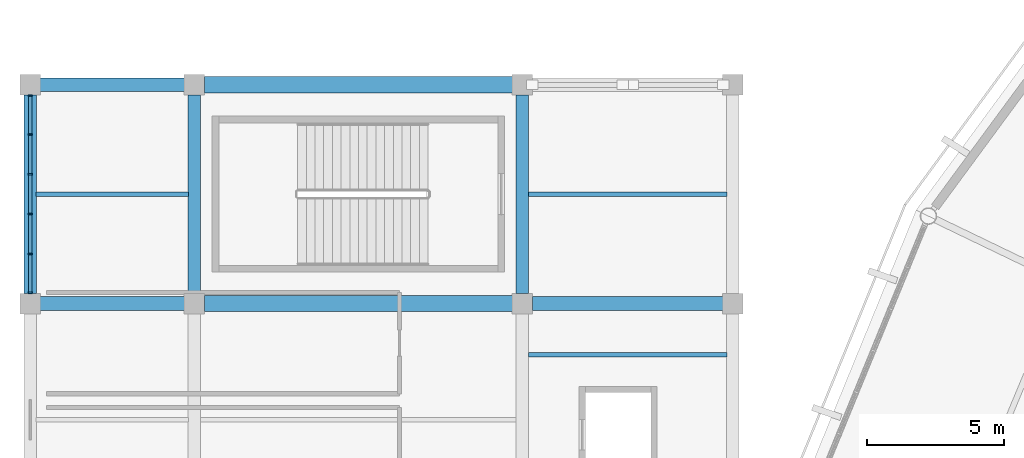
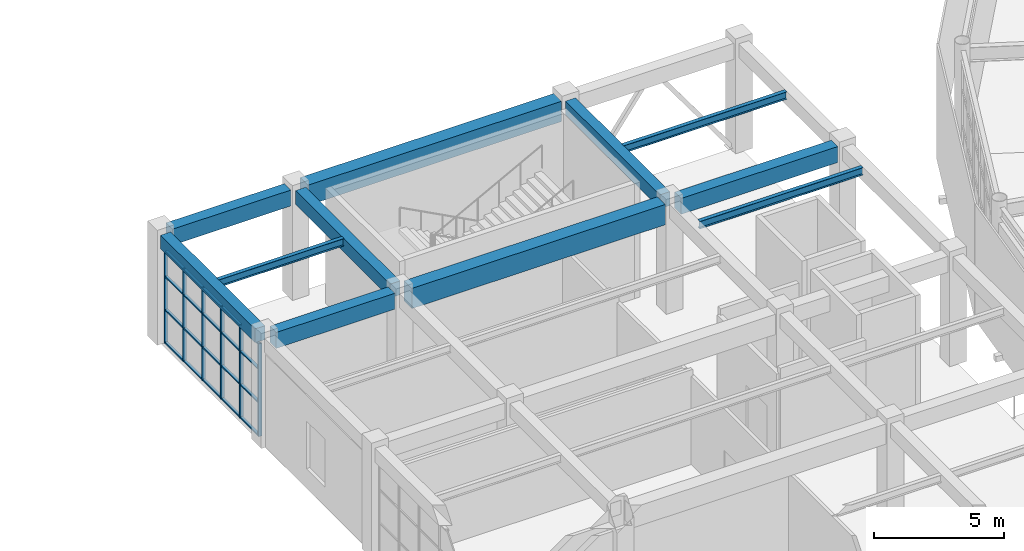
# One storey, part 26 of 70: 26 members, 11 beams, 1 element without a shape of its own.
"""IFC4 building model written with IfcOpenShell, lengths in metres."""

from ifc_helpers import new_model, si_unit, direction, frame, origin, origin_2d, place, context, subcontext, project, spatial, rectangle, i_section, extrude, material, material_profile, profile_set, type_object, element, aggregate, save


model = new_model("IFC4")

# Units and contexts
model_context = context("Model", 3, precision=1e-05, world=origin(), true_north=direction((0.0, 1.0)))
body_context = subcontext(model_context, "Body", "Model", "MODEL_VIEW")
ifc_project = project(units=[si_unit("LENGTHUNIT", "METRE"), si_unit("AREAUNIT", "SQUARE_METRE"), si_unit("VOLUMEUNIT", "CUBIC_METRE"), si_unit("PLANEANGLEUNIT", "RADIAN"), si_unit("MASSUNIT", "GRAM", prefix="KILO")], contexts=[model_context])

# Site, building, storey
site_placement = place(None, origin())
site = spatial("IfcSite", under=ifc_project, at=site_placement, CompositionType="ELEMENT")
building_placement = place(site_placement, origin())
building = spatial("IfcBuilding", under=site, at=building_placement, Name="Cuetzalor Civic Arena", CompositionType="ELEMENT")
storey_placement = place(building_placement, frame((0.0, 0.0, 21.0)))
storey = spatial("IfcBuildingStorey", under=building, at=storey_placement, Name="L04", CompositionType="ELEMENT", Elevation=21.0)

# Beams
ifc_material_1 = material(Name="Concrete C40/50", Category="concrete")
ifc_material_profile_1 = material_profile(ifc_material_1, rectangle(XDim=0.5, YDim=0.75, at=origin_2d()), Name="RC 500x750")
ifc_profile_set_1 = profile_set([ifc_material_profile_1], Name="Concrete C40/50")
beam_type_1 = type_object("IfcBeamType", Name="ConcreteFrameBeam_500x750", PredefinedType="BEAM", material=ifc_profile_set_1)
beam_1_placement = place(storey_placement, frame((-81.635009765625, 17.0, 4.7451171875), z_axis=(1.0, 0.0, 0.0), x_axis=(0.0, 1.0, 0.0)))
element("IfcBeam", 1, at=beam_1_placement, inside=storey, type_object=beam_type_1, Name="Frame Girder V4W-L04-X1110", PredefinedType="BEAM", context=body_context, shape_type="SweptSolid", body=[
    extrude(rectangle(XDim=0.5, YDim=0.75, at=origin_2d()), origin(), (0.0, 0.0, 1.0), 5.27001953125),
])
beam_2_placement = place(storey_placement, frame((-63.635009765625, 17.0, 4.7451171875), z_axis=(1.0, 0.0, 0.0), x_axis=(0.0, 1.0, 0.0)))
element("IfcBeam", 2, at=beam_2_placement, inside=storey, type_object=beam_type_1, Name="Frame Girder V4W-L04-X1112", PredefinedType="BEAM", context=body_context, shape_type="SweptSolid", body=[
    extrude(rectangle(XDim=0.5, YDim=0.75, at=origin_2d()), origin(), (0.0, 0.0, 1.0), 6.969970703125),
])
beam_3_placement = place(storey_placement, frame((-81.635009765625, 25.0, 4.7451171875), z_axis=(1.0, 0.0, 0.0), x_axis=(0.0, 1.0, 0.0)))
element("IfcBeam", 3, at=beam_3_placement, inside=storey, type_object=beam_type_1, Name="Frame Girder V4W-L04-X1113", PredefinedType="BEAM", context=body_context, shape_type="SweptSolid", body=[
    extrude(rectangle(XDim=0.5, YDim=0.75, at=origin_2d()), origin(), (0.0, 0.0, 1.0), 5.27001953125),
])
ifc_material_2 = material(Name="Concrete C40/50", Category="concrete")
ifc_material_profile_2 = material_profile(ifc_material_2, rectangle(XDim=0.60009765625, YDim=0.949951171875, at=origin_2d()), Name="RC 600x950")
ifc_profile_set_2 = profile_set([ifc_material_profile_2], Name="Concrete C40/50")
beam_type_2 = type_object("IfcBeamType", Name="ConcreteFrameBeam_600x950", PredefinedType="BEAM", material=ifc_profile_set_2)
for number, where, z_axis, x_axis, name in (
    (4, (-75.635009765625, 17.0, 4.64501953125), (1.0, 0.0, 0.0), (0.0, 1.0, 0.0), "Frame Girder V4W-L04-X1111"),
    (5, (-75.635009765625, 25.0, 4.64501953125), (1.0, 0.0, 0.0), (0.0, 1.0, 0.0), "Frame Girder V4W-L04-X1114"),
):
    element("IfcBeam", number, at=place(storey_placement, frame(where, z_axis=z_axis, x_axis=x_axis)), inside=storey, type_object=beam_type_2, Name=name, PredefinedType="BEAM", context=body_context, shape_type="SweptSolid", body=[
        extrude(rectangle(XDim=0.60009765625, YDim=0.949951171875, at=origin_2d()), origin(), (0.0, 0.0, 1.0), 11.27001953125),
    ])
ifc_material_3 = material(Name="Concrete C40/50", Category="concrete")
ifc_material_profile_3 = material_profile(ifc_material_3, rectangle(XDim=0.449951171875, YDim=0.64990234375, at=origin_2d()), Name="RC 450x650")
ifc_profile_set_3 = profile_set([ifc_material_profile_3], Name="Concrete C40/50")
beam_type_3 = type_object("IfcBeamType", Name="ConcreteTieBeam_450x650", PredefinedType="BEAM", material=ifc_profile_set_3)
for number, where, z_axis, x_axis, name in (
    (6, (-82.0, 17.364990234375, 4.794921875), (0.0, 1.0, 0.0), (-1.0, 0.0, 0.0), "Frame Girder V4W-L04-Y1123"),
    (7, (-76.0, 17.364990234375, 4.794921875), (0.0, 1.0, 0.0), (-1.0, 0.0, 0.0), "Frame Girder V4W-L04-Y1131"),
    (8, (-64.0, 17.364990234375, 4.794921875), (0.0, 1.0, 0.0), (-1.0, 0.0, 0.0), "Frame Girder V4W-L04-Y1139"),
):
    element("IfcBeam", number, at=place(storey_placement, frame(where, z_axis=z_axis, x_axis=x_axis)), inside=storey, type_object=beam_type_3, Name=name, PredefinedType="BEAM", context=body_context, shape_type="SweptSolid", body=[
        extrude(rectangle(XDim=0.449951171875, YDim=0.64990234375, at=origin_2d()), origin(), (0.0, 0.0, 1.0), 7.27001953125),
    ])

# Curtain wall, members
ifc_material_4 = material(Name="Anodised dark bronze aluminium and low-E solar glass", Category="aluminium")
curtain_wall_type = type_object("IfcCurtainWallType", Name="UnitisedCW_7300x4350", PredefinedType="USERDEFINED", material=ifc_material_4)
curtain_wall_placement = place(storey_placement, origin())
curtain_wall = element("IfcCurtainWall", 9, at=curtain_wall_placement, inside=storey, type_object=curtain_wall_type, Name="V4W Suite Viewing Curtain Wall L04-126", ObjectType="UNITISED CURTAIN WALL", PredefinedType="USERDEFINED")
ifc_material_5 = material(Name="Anodised dark bronze aluminium", Category="aluminium")
ifc_material_profile_4 = material_profile(ifc_material_5, rectangle(XDim=0.06494140625, YDim=0.14990234375, at=origin_2d()), Name="ALU MULLION 65x150")
ifc_profile_set_4 = profile_set([ifc_material_profile_4], Name="Anodised dark bronze aluminium")
member_type_1 = type_object("IfcMemberType", Name="CurtainWallMullion_60x150", PredefinedType="MULLION", material=ifc_profile_set_4)
member_1_placement = place(storey_placement, frame((-82.0, 17.389404296875, 0.0), z_axis=(0.0, 0.0, 1.0), x_axis=(0.0, 1.0, 0.0)))
member_1 = element("IfcMember", 10, at=member_1_placement, type_object=member_type_1, Name="CW-48 mullion 1", PredefinedType="MULLION", context=body_context, shape_type="SweptSolid", body=[
    extrude(rectangle(XDim=0.06494140625, YDim=0.14990234375, at=origin_2d()), origin(), (0.0, 0.0, 1.0), 4.360107421875),
])
member_2_placement = place(storey_placement, frame((-82.0, 18.814208984375, 0.0), z_axis=(0.0, 0.0, 1.0), x_axis=(0.0, 1.0, 0.0)))
member_2 = element("IfcMember", 11, at=member_2_placement, type_object=member_type_1, Name="CW-48 mullion 2", PredefinedType="MULLION", context=body_context, shape_type="SweptSolid", body=[
    extrude(rectangle(XDim=0.06494140625, YDim=0.14990234375, at=origin_2d()), origin(), (0.0, 0.0, 1.0), 4.360107421875),
])
member_3_placement = place(storey_placement, frame((-82.0, 20.271484375, 0.0), z_axis=(0.0, 0.0, 1.0), x_axis=(0.0, 1.0, 0.0)))
member_3 = element("IfcMember", 12, at=member_3_placement, type_object=member_type_1, Name="CW-48 mullion 3", PredefinedType="MULLION", context=body_context, shape_type="SweptSolid", body=[
    extrude(rectangle(XDim=0.06494140625, YDim=0.14990234375, at=origin_2d()), origin(), (0.0, 0.0, 1.0), 4.360107421875),
])
member_4_placement = place(storey_placement, frame((-82.0, 21.728515625, 0.0), z_axis=(0.0, 0.0, 1.0), x_axis=(0.0, 1.0, 0.0)))
member_4 = element("IfcMember", 13, at=member_4_placement, type_object=member_type_1, Name="CW-48 mullion 4", PredefinedType="MULLION", context=body_context, shape_type="SweptSolid", body=[
    extrude(rectangle(XDim=0.06494140625, YDim=0.14990234375, at=origin_2d()), origin(), (0.0, 0.0, 1.0), 4.360107421875),
])
member_5_placement = place(storey_placement, frame((-82.0, 23.185791015625, 0.0), z_axis=(0.0, 0.0, 1.0), x_axis=(0.0, 1.0, 0.0)))
member_5 = element("IfcMember", 14, at=member_5_placement, type_object=member_type_1, Name="CW-48 mullion 5", PredefinedType="MULLION", context=body_context, shape_type="SweptSolid", body=[
    extrude(rectangle(XDim=0.06494140625, YDim=0.14990234375, at=origin_2d()), origin(), (0.0, 0.0, 1.0), 4.360107421875),
])
member_6_placement = place(storey_placement, frame((-82.0, 24.610595703125, 0.0), z_axis=(0.0, 0.0, 1.0), x_axis=(0.0, 1.0, 0.0)))
member_6 = element("IfcMember", 15, at=member_6_placement, type_object=member_type_1, Name="CW-48 mullion 6", PredefinedType="MULLION", context=body_context, shape_type="SweptSolid", body=[
    extrude(rectangle(XDim=0.06494140625, YDim=0.14990234375, at=origin_2d()), origin(), (0.0, 0.0, 1.0), 4.360107421875),
])
ifc_material_6 = material(Name="Anodised dark bronze aluminium", Category="aluminium")
ifc_material_profile_5 = material_profile(ifc_material_6, rectangle(XDim=0.1201171875, YDim=0.06494140625, at=origin_2d()), Name="ALU TRANSOM 65x120")
ifc_profile_set_5 = profile_set([ifc_material_profile_5], Name="Anodised dark bronze aluminium")
member_type_2 = type_object("IfcMemberType", Name="CurtainWallTransom_60x120", PredefinedType="USERDEFINED", material=ifc_profile_set_5)
member_7_placement = place(storey_placement, frame((-82.0, 17.422119140625, 0.032470703125), z_axis=(0.0, 1.0, 0.0), x_axis=(-1.0, 0.0, 0.0)))
member_7 = element("IfcMember", 16, at=member_7_placement, type_object=member_type_2, Name="CW-48 transom 1.1", ObjectType="TRANSOM", PredefinedType="USERDEFINED", context=body_context, shape_type="SweptSolid", body=[
    extrude(rectangle(XDim=0.1201171875, YDim=0.06494140625, at=origin_2d()), origin(), (0.0, 0.0, 1.0), 1.359619140625),
])
member_8_placement = place(storey_placement, frame((-82.0, 17.422119140625, 1.570068359375), z_axis=(0.0, 1.0, 0.0), x_axis=(-1.0, 0.0, 0.0)))
member_8 = element("IfcMember", 17, at=member_8_placement, type_object=member_type_2, Name="CW-48 transom 1.2", ObjectType="TRANSOM", PredefinedType="USERDEFINED", context=body_context, shape_type="SweptSolid", body=[
    extrude(rectangle(XDim=0.1201171875, YDim=0.06494140625, at=origin_2d()), origin(), (0.0, 0.0, 1.0), 1.359619140625),
])
member_9_placement = place(storey_placement, frame((-82.0, 17.422119140625, 3.138916015625), z_axis=(0.0, 1.0, 0.0), x_axis=(-1.0, 0.0, 0.0)))
member_9 = element("IfcMember", 18, at=member_9_placement, type_object=member_type_2, Name="CW-48 transom 1.3", ObjectType="TRANSOM", PredefinedType="USERDEFINED", context=body_context, shape_type="SweptSolid", body=[
    extrude(rectangle(XDim=0.1201171875, YDim=0.06494140625, at=origin_2d()), origin(), (0.0, 0.0, 1.0), 1.359619140625),
])
member_10_placement = place(storey_placement, frame((-82.0, 17.422119140625, 4.327392578125), z_axis=(0.0, 1.0, 0.0), x_axis=(-1.0, 0.0, 0.0)))
member_10 = element("IfcMember", 19, at=member_10_placement, type_object=member_type_2, Name="CW-48 transom 1.4", ObjectType="TRANSOM", PredefinedType="USERDEFINED", context=body_context, shape_type="SweptSolid", body=[
    extrude(rectangle(XDim=0.1201171875, YDim=0.06494140625, at=origin_2d()), origin(), (0.0, 0.0, 1.0), 1.359619140625),
])
member_11_placement = place(storey_placement, frame((-82.0, 18.8466796875, 0.032470703125), z_axis=(0.0, 1.0, 0.0), x_axis=(-1.0, 0.0, 0.0)))
member_11 = element("IfcMember", 20, at=member_11_placement, type_object=member_type_2, Name="CW-48 transom 2.1", ObjectType="TRANSOM", PredefinedType="USERDEFINED", context=body_context, shape_type="SweptSolid", body=[
    extrude(rectangle(XDim=0.1201171875, YDim=0.06494140625, at=origin_2d()), origin(), (0.0, 0.0, 1.0), 1.392333984375),
])
member_12_placement = place(storey_placement, frame((-82.0, 18.8466796875, 1.570068359375), z_axis=(0.0, 1.0, 0.0), x_axis=(-1.0, 0.0, 0.0)))
member_12 = element("IfcMember", 21, at=member_12_placement, type_object=member_type_2, Name="CW-48 transom 2.2", ObjectType="TRANSOM", PredefinedType="USERDEFINED", context=body_context, shape_type="SweptSolid", body=[
    extrude(rectangle(XDim=0.1201171875, YDim=0.06494140625, at=origin_2d()), origin(), (0.0, 0.0, 1.0), 1.392333984375),
])
member_13_placement = place(storey_placement, frame((-82.0, 18.8466796875, 3.138916015625), z_axis=(0.0, 1.0, 0.0), x_axis=(-1.0, 0.0, 0.0)))
member_13 = element("IfcMember", 22, at=member_13_placement, type_object=member_type_2, Name="CW-48 transom 2.3", ObjectType="TRANSOM", PredefinedType="USERDEFINED", context=body_context, shape_type="SweptSolid", body=[
    extrude(rectangle(XDim=0.1201171875, YDim=0.06494140625, at=origin_2d()), origin(), (0.0, 0.0, 1.0), 1.392333984375),
])
member_14_placement = place(storey_placement, frame((-82.0, 18.8466796875, 4.327392578125), z_axis=(0.0, 1.0, 0.0), x_axis=(-1.0, 0.0, 0.0)))
member_14 = element("IfcMember", 23, at=member_14_placement, type_object=member_type_2, Name="CW-48 transom 2.4", ObjectType="TRANSOM", PredefinedType="USERDEFINED", context=body_context, shape_type="SweptSolid", body=[
    extrude(rectangle(XDim=0.1201171875, YDim=0.06494140625, at=origin_2d()), origin(), (0.0, 0.0, 1.0), 1.392333984375),
])
member_15_placement = place(storey_placement, frame((-82.0, 20.303955078125, 0.032470703125), z_axis=(0.0, 1.0, 0.0), x_axis=(-1.0, 0.0, 0.0)))
member_15 = element("IfcMember", 24, at=member_15_placement, type_object=member_type_2, Name="CW-48 transom 3.1", ObjectType="TRANSOM", PredefinedType="USERDEFINED", context=body_context, shape_type="SweptSolid", body=[
    extrude(rectangle(XDim=0.1201171875, YDim=0.06494140625, at=origin_2d()), origin(), (0.0, 0.0, 1.0), 1.39208984375),
])
member_16_placement = place(storey_placement, frame((-82.0, 20.303955078125, 1.570068359375), z_axis=(0.0, 1.0, 0.0), x_axis=(-1.0, 0.0, 0.0)))
member_16 = element("IfcMember", 25, at=member_16_placement, type_object=member_type_2, Name="CW-48 transom 3.2", ObjectType="TRANSOM", PredefinedType="USERDEFINED", context=body_context, shape_type="SweptSolid", body=[
    extrude(rectangle(XDim=0.1201171875, YDim=0.06494140625, at=origin_2d()), origin(), (0.0, 0.0, 1.0), 1.39208984375),
])
member_17_placement = place(storey_placement, frame((-82.0, 20.303955078125, 3.138916015625), z_axis=(0.0, 1.0, 0.0), x_axis=(-1.0, 0.0, 0.0)))
member_17 = element("IfcMember", 26, at=member_17_placement, type_object=member_type_2, Name="CW-48 transom 3.3", ObjectType="TRANSOM", PredefinedType="USERDEFINED", context=body_context, shape_type="SweptSolid", body=[
    extrude(rectangle(XDim=0.1201171875, YDim=0.06494140625, at=origin_2d()), origin(), (0.0, 0.0, 1.0), 1.39208984375),
])
member_18_placement = place(storey_placement, frame((-82.0, 20.303955078125, 4.327392578125), z_axis=(0.0, 1.0, 0.0), x_axis=(-1.0, 0.0, 0.0)))
member_18 = element("IfcMember", 27, at=member_18_placement, type_object=member_type_2, Name="CW-48 transom 3.4", ObjectType="TRANSOM", PredefinedType="USERDEFINED", context=body_context, shape_type="SweptSolid", body=[
    extrude(rectangle(XDim=0.1201171875, YDim=0.06494140625, at=origin_2d()), origin(), (0.0, 0.0, 1.0), 1.39208984375),
])
member_19_placement = place(storey_placement, frame((-82.0, 21.760986328125, 0.032470703125), z_axis=(0.0, 1.0, 0.0), x_axis=(-1.0, 0.0, 0.0)))
member_19 = element("IfcMember", 28, at=member_19_placement, type_object=member_type_2, Name="CW-48 transom 4.1", ObjectType="TRANSOM", PredefinedType="USERDEFINED", context=body_context, shape_type="SweptSolid", body=[
    extrude(rectangle(XDim=0.1201171875, YDim=0.06494140625, at=origin_2d()), origin(), (0.0, 0.0, 1.0), 1.392333984375),
])
member_20_placement = place(storey_placement, frame((-82.0, 21.760986328125, 1.570068359375), z_axis=(0.0, 1.0, 0.0), x_axis=(-1.0, 0.0, 0.0)))
member_20 = element("IfcMember", 29, at=member_20_placement, type_object=member_type_2, Name="CW-48 transom 4.2", ObjectType="TRANSOM", PredefinedType="USERDEFINED", context=body_context, shape_type="SweptSolid", body=[
    extrude(rectangle(XDim=0.1201171875, YDim=0.06494140625, at=origin_2d()), origin(), (0.0, 0.0, 1.0), 1.392333984375),
])
member_21_placement = place(storey_placement, frame((-82.0, 21.760986328125, 3.138916015625), z_axis=(0.0, 1.0, 0.0), x_axis=(-1.0, 0.0, 0.0)))
member_21 = element("IfcMember", 30, at=member_21_placement, type_object=member_type_2, Name="CW-48 transom 4.3", ObjectType="TRANSOM", PredefinedType="USERDEFINED", context=body_context, shape_type="SweptSolid", body=[
    extrude(rectangle(XDim=0.1201171875, YDim=0.06494140625, at=origin_2d()), origin(), (0.0, 0.0, 1.0), 1.392333984375),
])
member_22_placement = place(storey_placement, frame((-82.0, 21.760986328125, 4.327392578125), z_axis=(0.0, 1.0, 0.0), x_axis=(-1.0, 0.0, 0.0)))
member_22 = element("IfcMember", 31, at=member_22_placement, type_object=member_type_2, Name="CW-48 transom 4.4", ObjectType="TRANSOM", PredefinedType="USERDEFINED", context=body_context, shape_type="SweptSolid", body=[
    extrude(rectangle(XDim=0.1201171875, YDim=0.06494140625, at=origin_2d()), origin(), (0.0, 0.0, 1.0), 1.392333984375),
])
member_23_placement = place(storey_placement, frame((-82.0, 23.21826171875, 0.032470703125), z_axis=(0.0, 1.0, 0.0), x_axis=(-1.0, 0.0, 0.0)))
member_23 = element("IfcMember", 32, at=member_23_placement, type_object=member_type_2, Name="CW-48 transom 5.1", ObjectType="TRANSOM", PredefinedType="USERDEFINED", context=body_context, shape_type="SweptSolid", body=[
    extrude(rectangle(XDim=0.1201171875, YDim=0.06494140625, at=origin_2d()), origin(), (0.0, 0.0, 1.0), 1.359619140625),
])
member_24_placement = place(storey_placement, frame((-82.0, 23.21826171875, 1.570068359375), z_axis=(0.0, 1.0, 0.0), x_axis=(-1.0, 0.0, 0.0)))
member_24 = element("IfcMember", 33, at=member_24_placement, type_object=member_type_2, Name="CW-48 transom 5.2", ObjectType="TRANSOM", PredefinedType="USERDEFINED", context=body_context, shape_type="SweptSolid", body=[
    extrude(rectangle(XDim=0.1201171875, YDim=0.06494140625, at=origin_2d()), origin(), (0.0, 0.0, 1.0), 1.359619140625),
])
member_25_placement = place(storey_placement, frame((-82.0, 23.21826171875, 3.138916015625), z_axis=(0.0, 1.0, 0.0), x_axis=(-1.0, 0.0, 0.0)))
member_25 = element("IfcMember", 34, at=member_25_placement, type_object=member_type_2, Name="CW-48 transom 5.3", ObjectType="TRANSOM", PredefinedType="USERDEFINED", context=body_context, shape_type="SweptSolid", body=[
    extrude(rectangle(XDim=0.1201171875, YDim=0.06494140625, at=origin_2d()), origin(), (0.0, 0.0, 1.0), 1.359619140625),
])
member_26_placement = place(storey_placement, frame((-82.0, 23.21826171875, 4.327392578125), z_axis=(0.0, 1.0, 0.0), x_axis=(-1.0, 0.0, 0.0)))
member_26 = element("IfcMember", 35, at=member_26_placement, type_object=member_type_2, Name="CW-48 transom 5.4", ObjectType="TRANSOM", PredefinedType="USERDEFINED", context=body_context, shape_type="SweptSolid", body=[
    extrude(rectangle(XDim=0.1201171875, YDim=0.06494140625, at=origin_2d()), origin(), (0.0, 0.0, 1.0), 1.359619140625),
])
aggregate(curtain_wall, [member_1, member_2, member_3, member_4, member_5, member_6, member_7, member_8, member_9, member_10, member_11, member_12, member_13, member_14, member_15, member_16, member_17, member_18, member_19, member_20, member_21, member_22, member_23, member_24, member_25, member_26])

# Beams
ifc_material_7 = material(Name="Steel S355", Category="steel")
ifc_material_profile_6 = material_profile(ifc_material_7, i_section(OverallWidth=0.1708984375, OverallDepth=0.35498046875, WebThickness=0.007080078125, FlangeThickness=0.01171875, at=origin_2d()), Name="W360x51")
ifc_profile_set_6 = profile_set([ifc_material_profile_6], Name="Steel S355")
beam_type_4 = type_object("IfcBeamType", Name="SecondaryFloorJoist_W360", PredefinedType="JOIST", material=ifc_profile_set_6)
beam_4_placement = place(storey_placement, frame((-81.782958984375, 21.0, 4.9423828125), z_axis=(1.0, 0.0, 0.0), x_axis=(0.0, 1.0, 0.0)))
element("IfcBeam", 36, at=beam_4_placement, inside=storey, type_object=beam_type_4, Name="Secondary Floor Joist V4W-L04-0343", PredefinedType="JOIST", context=body_context, shape_type="SweptSolid", body=[
    extrude(i_section(OverallWidth=0.1708984375, OverallDepth=0.35498046875, WebThickness=0.007080078125, FlangeThickness=0.01171875, at=origin_2d()), origin(), (0.0, 0.0, 1.0), 5.56591796875),
])
for number, where, z_axis, x_axis, name in (
    (37, (-63.782958984375, 15.1298828125, 4.9423828125), (1.0, 0.0, 0.0), (0.0, 1.0, 0.0), "Secondary Floor Joist V4W-L04-0355"),
    (38, (-63.782958984375, 21.0, 4.9423828125), (1.0, 0.0, 0.0), (0.0, 1.0, 0.0), "Secondary Floor Joist V4W-L04-0356"),
):
    element("IfcBeam", number, at=place(storey_placement, frame(where, z_axis=z_axis, x_axis=x_axis)), inside=storey, type_object=beam_type_4, Name=name, PredefinedType="JOIST", context=body_context, shape_type="SweptSolid", body=[
        extrude(i_section(OverallWidth=0.1708984375, OverallDepth=0.35498046875, WebThickness=0.007080078125, FlangeThickness=0.01171875, at=origin_2d()), origin(), (0.0, 0.0, 1.0), 7.265869140625),
    ])

save(model, "model.ifc")
